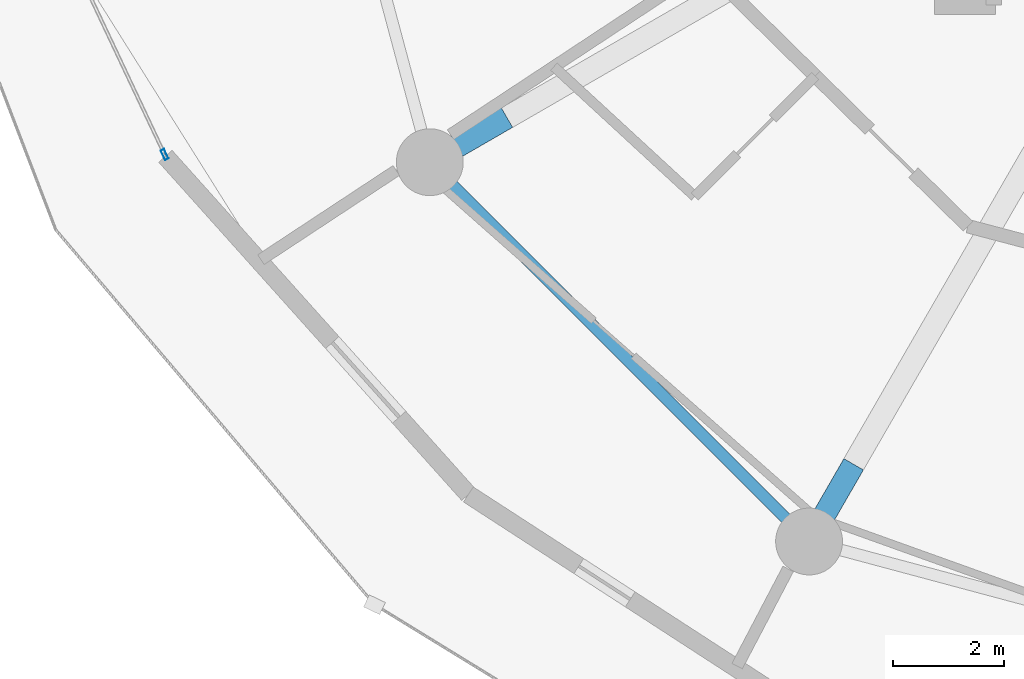
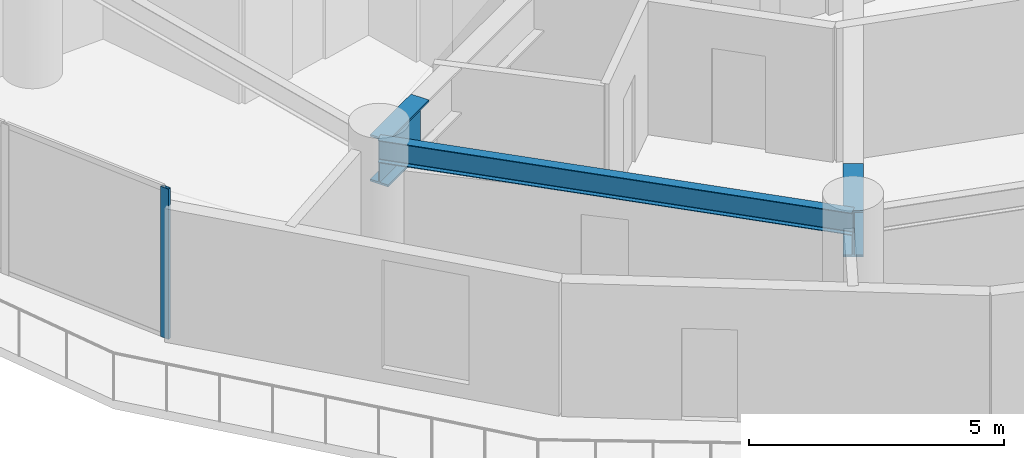
# One storey, part 2 of 24: 3 beams, 1 member, 1 element without a shape of its own.
"""IFC4 building model written with IfcOpenShell, lengths in metres."""

import ifcopenshell
import ifcopenshell.guid

model = None  # the IFC model being written
_history = None  # IfcOwnerHistory: only IFC2X3 demands one
_inside = {}  # id of a spatial element -> (the spatial element, [elements in it])
_under = {}  # id of a project, library or spatial element -> (it, [spatial elements below it])
_declared = {}  # id of a project -> (the project, [libraries it declares])
_typed = {}  # id of a type object -> (the type object, [elements of that type])
_made_of = {}  # id of a material, layer set ... -> (it, [elements and type objects made of it])


def new_model(schema):
    """Start an empty IFC model of exactly this schema.

    Asked for "IFC4X3", IfcOpenShell would pick the latest addendum, in which some entities
    have other attributes; the version numbers below select the first issue.
    IFC2X3 requires an IfcOwnerHistory on every rooted entity: one is made here for all.
    """
    global model, _history
    if schema == "IFC4X3":
        model = ifcopenshell.file(schema_version=(4, 3, 0, 0))
    else:
        model = ifcopenshell.file(schema=schema)
    _inside.clear()
    _under.clear()
    _declared.clear()
    _typed.clear()
    _made_of.clear()
    _history = None
    if model.schema == "IFC2X3":
        org = make("IfcOrganization", Name="unknown")
        user = make(
            "IfcPersonAndOrganization",
            ThePerson=make("IfcPerson", FamilyName="unknown"),
            TheOrganization=org,
        )
        app = make(
            "IfcApplication",
            ApplicationDeveloper=org,
            Version="unknown",
            ApplicationFullName="unknown",
            ApplicationIdentifier="unknown",
        )
        _history = make(
            "IfcOwnerHistory",
            OwningUser=user,
            OwningApplication=app,
            ChangeAction="ADDED",
            CreationDate=0,
        )
    return model


def make(cls, **values):
    """One entity of the class cls with the attributes given. An attribute that is None is left unset."""
    return model.create_entity(
        cls, **{name: value for name, value in values.items() if value is not None}
    )


def rooted(cls, **values):
    """An entity with a GlobalId (a new one), such as an element, a storey or a relation."""
    return make(cls, GlobalId=ifcopenshell.guid.new(), OwnerHistory=_history, **values)


def si_unit(unit_type, name, prefix=None):
    """IfcSIUnit, for example si_unit("LENGTHUNIT", "METRE", prefix="MILLI")."""
    return make("IfcSIUnit", UnitType=unit_type, Prefix=prefix, Name=name)


def assignment(units):
    """IfcUnitAssignment: the units of a project."""
    return None if units is None else make("IfcUnitAssignment", Units=units)


def point(xyz):
    """IfcCartesianPoint."""
    return None if xyz is None else make("IfcCartesianPoint", Coordinates=xyz)


def direction(xyz):
    """IfcDirection."""
    return None if xyz is None else make("IfcDirection", DirectionRatios=xyz)


def frame(location, z_axis=None, x_axis=None):
    """IfcAxis2Placement3D, a coordinate frame: its origin and axes. An axis left out is left unset."""
    return make(
        "IfcAxis2Placement3D",
        Location=point(location),
        Axis=direction(z_axis),
        RefDirection=direction(x_axis),
    )


def frame_2d(location, x_axis=None):
    """IfcAxis2Placement2D, a coordinate frame in the plane: its origin and x axis."""
    return make(
        "IfcAxis2Placement2D", Location=point(location), RefDirection=direction(x_axis)
    )


def origin():
    """The frame at (0, 0, 0) with its axes left unset."""
    return frame((0.0, 0.0, 0.0))


def origin_2d():
    """The frame at (0, 0) in the plane with its x axis left unset."""
    return frame_2d((0.0, 0.0))


def place(relative_to, where):
    """IfcLocalPlacement: puts the frame where relative to a parent placement (None: the world)."""
    return make(
        "IfcLocalPlacement", PlacementRelTo=relative_to, RelativePlacement=where
    )


def context(
    kind, dimensions, precision=None, world=None, true_north=None, identifier=None
):
    """IfcGeometricRepresentationContext, for example the 3D "Model" context."""
    return make(
        "IfcGeometricRepresentationContext",
        ContextIdentifier=identifier,
        ContextType=kind,
        CoordinateSpaceDimension=dimensions,
        Precision=precision,
        WorldCoordinateSystem=world,
        TrueNorth=true_north,
    )


def subcontext(parent, identifier, kind, view, scale=None):
    """IfcGeometricRepresentationSubContext, for example "Body" below "Model"."""
    return make(
        "IfcGeometricRepresentationSubContext",
        ContextIdentifier=identifier,
        ContextType=kind,
        ParentContext=parent,
        TargetScale=scale,
        TargetView=view,
    )


def project(units=None, contexts=None):
    """IfcProject with its units and contexts."""
    return rooted(
        "IfcProject",
        Name="project",
        RepresentationContexts=contexts,
        UnitsInContext=assignment(units),
    )


def spatial(cls, under=None, at=None, **own):
    """A site, building, storey or space (cls), placed at a placement, below another one or the project."""
    s = rooted(cls, ObjectPlacement=at, **own)
    if under is not None:
        _under.setdefault(under.id(), (under, []))[1].append(s)
    return s


def profile(cls, at=None, kind="AREA", **sizes):
    """A parametric profile (cls). Its sizes go by their IFC names, for example OverallWidth=200.0."""
    return make(cls, ProfileType=kind, Position=at, **sizes)


def hollow_rectangle(**sizes):
    """IfcRectangleHollowProfileDef."""
    return profile("IfcRectangleHollowProfileDef", **sizes)


def i_section(**sizes):
    """IfcIShapeProfileDef."""
    return profile("IfcIShapeProfileDef", **sizes)


def extrude(swept, where, along, depth):
    """IfcExtrudedAreaSolid: the profile swept, set in the frame where, extruded along a direction by depth."""
    return make(
        "IfcExtrudedAreaSolid",
        SweptArea=swept,
        Position=where,
        ExtrudedDirection=direction(along),
        Depth=depth,
    )


def shape(context_of_items, identifier, shape_type, items):
    """IfcShapeRepresentation: the items that make up one representation, for example the "Body"."""
    return make(
        "IfcShapeRepresentation",
        ContextOfItems=context_of_items,
        RepresentationIdentifier=identifier,
        RepresentationType=shape_type,
        Items=items,
    )


def source(mapping_origin, context_of_items, identifier, shape_type, items):
    """IfcRepresentationMap: a shape defined once, which mapped items show again and again."""
    return make(
        "IfcRepresentationMap",
        MappingOrigin=mapping_origin,
        MappedRepresentation=shape(context_of_items, identifier, shape_type, items),
    )


def transform(
    local_origin,
    x_axis=None,
    y_axis=None,
    z_axis=None,
    scale=None,
    scale2=None,
    scale3=None,
    uniform=True,
):
    """IfcCartesianTransformationOperator3D, or its non-uniform kind. x_axis, y_axis, z_axis: its Axis1, 2, 3."""
    if uniform:
        return make(
            "IfcCartesianTransformationOperator3D",
            Axis1=direction(x_axis),
            Axis2=direction(y_axis),
            LocalOrigin=point(local_origin),
            Scale=scale,
            Axis3=direction(z_axis),
        )
    return make(
        "IfcCartesianTransformationOperator3DnonUniform",
        Axis1=direction(x_axis),
        Axis2=direction(y_axis),
        LocalOrigin=point(local_origin),
        Scale=scale,
        Axis3=direction(z_axis),
        Scale2=scale2,
        Scale3=scale3,
    )


def mapped(mapping_source, mapping_target):
    """IfcMappedItem: shows the shape of a source again, moved by a transform."""
    return make(
        "IfcMappedItem", MappingSource=mapping_source, MappingTarget=mapping_target
    )


def material(Name=None, Category=None):
    """IfcMaterial."""
    return make("IfcMaterial", Name=Name, Category=Category)


def layer(
    of_material, thickness, ventilated=None, Name=None, Category=None, Priority=None
):
    """IfcMaterialLayer: one layer of a wall or slab, of a material (None: an air gap)."""
    return make(
        "IfcMaterialLayer",
        Material=of_material,
        LayerThickness=thickness,
        IsVentilated=ventilated,
        Name=Name,
        Category=Category,
        Priority=Priority,
    )


def layer_set(layers, Name=None):
    """IfcMaterialLayerSet."""
    return make("IfcMaterialLayerSet", MaterialLayers=layers, LayerSetName=Name)


def material_profile(
    of_material, cross_section, Name=None, Category=None, Priority=None
):
    """IfcMaterialProfile: a cross section and its material."""
    return make(
        "IfcMaterialProfile",
        Name=Name,
        Material=of_material,
        Profile=cross_section,
        Priority=Priority,
        Category=Category,
    )


def profile_set(profiles, Name=None, composite=None):
    """IfcMaterialProfileSet."""
    return make(
        "IfcMaterialProfileSet",
        Name=Name,
        MaterialProfiles=profiles,
        CompositeProfile=composite,
    )


def made_of(thing, what):
    """Note that an element or type object is made of a material, layer set ...; save() writes the relation."""
    if what is not None:
        _made_of.setdefault(what.id(), (what, []))[1].append(thing)
    return thing


def type_object(cls, material=None, **own):
    """A type object (cls), such as IfcWallType, which elements share."""
    return made_of(rooted(cls, **own), material)


def element(
    cls,
    number,
    at=None,
    inside=None,
    cuts=None,
    type_object=None,
    material=None,
    context=None,
    identifier="Body",
    shape_type=None,
    held_by="IfcProductDefinitionShape",
    body=None,
    shapes=None,
    **own,
):
    """One element of the class cls, such as IfcWall. Its Tag is "e" and its number.

    at: its placement. inside: the storey or other place that contains it. cuts: it is an
    opening in that element (IfcRelVoidsElement). A single representation is given by context,
    identifier, shape_type and body (its items); several are given by shapes. held_by: the class
    of the entity that holds the representations. save() writes the other relations.
    """
    e = rooted(cls, Tag="e%d" % number, ObjectPlacement=at, **own)
    if body is not None:
        shapes = [shape(context, identifier, shape_type, body)]
    if shapes is not None:
        e.Representation = make(held_by, Representations=shapes)
    if inside is not None:
        _inside.setdefault(inside.id(), (inside, []))[1].append(e)
    if cuts is not None:
        rooted(
            "IfcRelVoidsElement", RelatingBuildingElement=cuts, RelatedOpeningElement=e
        )
    if type_object is not None:
        _typed.setdefault(type_object.id(), (type_object, []))[1].append(e)
    return made_of(e, material)


def aggregate(whole, parts):
    """IfcRelAggregates: a whole, such as a stair, and the parts it consists of."""
    return rooted("IfcRelAggregates", RelatingObject=whole, RelatedObjects=parts)


def save(model, path):
    """Write the relations noted so far, then the file.

    IfcRelAggregates (storeys below a building ...), IfcRelContainedInSpatialStructure (elements
    in a storey), IfcRelDefinesByType, IfcRelAssociatesMaterial and IfcRelDeclares: one each for
    every whole, place, type object, material and project.
    """
    for whole, parts in _under.values():
        aggregate(whole, parts)
    for where, things in _inside.values():
        rooted(
            "IfcRelContainedInSpatialStructure",
            RelatedElements=things,
            RelatingStructure=where,
        )
    for kind, things in _typed.values():
        rooted("IfcRelDefinesByType", RelatedObjects=things, RelatingType=kind)
    for what, things in _made_of.values():
        rooted("IfcRelAssociatesMaterial", RelatedObjects=things, RelatingMaterial=what)
    for by, libraries in _declared.values():
        rooted("IfcRelDeclares", RelatingContext=by, RelatedDefinitions=libraries)
    model.write(path)


model = new_model("IFC4")

# Units and contexts
model_context = context("Model", 3, precision=1e-05, world=origin(), true_north=direction((0.0, 1.0)))
body_context = subcontext(model_context, "Body", "Model", "MODEL_VIEW")
ifc_project = project(units=[si_unit("LENGTHUNIT", "METRE"), si_unit("AREAUNIT", "SQUARE_METRE"), si_unit("VOLUMEUNIT", "CUBIC_METRE"), si_unit("PLANEANGLEUNIT", "RADIAN"), si_unit("MASSUNIT", "GRAM", prefix="KILO")], contexts=[model_context])

# Site, building, storey
site_placement = place(None, origin())
site = spatial("IfcSite", under=ifc_project, at=site_placement, CompositionType="ELEMENT")
building_placement = place(site_placement, origin())
building = spatial("IfcBuilding", under=site, at=building_placement, Name="Solvirekh Grand Hotel", CompositionType="ELEMENT")
storey_placement = place(building_placement, frame((0.0, 0.0, 89.60009765625)))
storey = spatial("IfcBuildingStorey", under=building, at=storey_placement, Name="L22", CompositionType="ELEMENT", Elevation=89.60009765625)

# Beams
ifc_material_1 = material(Name="Steel S355", Category="steel")
ifc_material_profile_1 = material_profile(ifc_material_1, i_section(OverallWidth=0.208984375, OverallDepth=0.532958984375, WebThickness=0.010009765625, FlangeThickness=0.014892578125, FilletRadius=0.013916015625, at=origin_2d()), Name="W530X92")
ifc_profile_set_1 = profile_set([ifc_material_profile_1], Name="Steel S355")
beam_type_1 = type_object("IfcBeamType", Name="Spandrel_Ring_W530", PredefinedType="SPANDREL", material=ifc_profile_set_1)
beam_placement = place(storey_placement, frame((-16.10791015625, -9.300048828125, 2.933837890625), z_axis=(0.707106781187, -0.707106781187, 0.0), x_axis=(0.707106781187, 0.707106781187, 0.0)))
element("IfcBeam", 1, at=beam_placement, inside=storey, type_object=beam_type_1, Name="L22 perimeter spandrel beam 8", PredefinedType="SPANDREL", context=body_context, shape_type="SweptSolid", body=[
    extrude(i_section(OverallWidth=0.208984375, OverallDepth=0.532958984375, WebThickness=0.010009765625, FlangeThickness=0.014892578125, FilletRadius=0.013916015625, at=origin_2d()), origin(), (0.0, 0.0, 1.0), 9.627685546875),
])
ifc_material_2 = material(Name="Steel S460", Category="steel")
ifc_material_profile_2 = material_profile(ifc_material_2, i_section(OverallWidth=0.405029296875, OverallDepth=1.117919921875, WebThickness=0.02587890625, FlangeThickness=0.048095703125, FilletRadius=0.02392578125, at=origin_2d()), Name="W1100X499")
ifc_profile_set_2 = profile_set([ifc_material_profile_2], Name="Steel S460")
beam_type_2 = type_object("IfcBeamType", Name="TransferGirder_W1100", PredefinedType="USERDEFINED", material=ifc_profile_set_2)
for number, where, z_axis, x_axis, name in (
    (2, (-14.721923828125, -8.5, 2.640869140625), (-0.866066190972, -0.499929347863, 0.0), (0.499929347863, -0.866066190972, 0.0), "L22 outer radial transfer girder 8B"),
    (3, (-8.5, -14.721923828125, 2.640869140625), (-0.499929347863, -0.866066190972, 0.0), (0.866066190972, -0.499929347863, 0.0), "L22 outer radial transfer girder 9B"),
):
    element("IfcBeam", number, at=place(storey_placement, frame(where, z_axis=z_axis, x_axis=x_axis)), inside=storey, type_object=beam_type_2, Name=name, ObjectType="TRANSFER GIRDER", PredefinedType="USERDEFINED", context=body_context, shape_type="SweptSolid", body=[
        extrude(i_section(OverallWidth=0.405029296875, OverallDepth=1.117919921875, WebThickness=0.02587890625, FlangeThickness=0.048095703125, FilletRadius=0.02392578125, at=origin_2d()), origin(), (0.0, 0.0, 1.0), 1.600341796875),
    ])

# Curtain wall, member
ifc_material_3 = material(Name="Anodized Bronze Aluminium 6063-T6", Category="aluminium")
ifc_layer = layer(ifc_material_3, 0.18994140625)
ifc_layer_set = layer_set([ifc_layer], Name="Anodized Bronze Aluminium 6063-T6")
curtain_wall_type = type_object("IfcCurtainWallType", Name="CW_Sys2_LowZoneFlushBronzeCW", PredefinedType="NOTDEFINED", material=ifc_layer_set)
curtain_wall_placement = place(storey_placement, origin())
curtain_wall = element("IfcCurtainWall", 4, at=curtain_wall_placement, inside=storey, type_object=curtain_wall_type, Name="L22 unitised bronze-glass curtain wall CW-L22-C13", PredefinedType="NOTDEFINED")
ifc_material_profile_3 = material_profile(ifc_material_3, hollow_rectangle(XDim=0.070068359375, YDim=0.18994140625, WallThickness=0.0048828125, at=origin_2d()), Name="ALU RHS 190X70X5")
ifc_profile_set_3 = profile_set([ifc_material_profile_3], Name="Anodized Bronze Aluminium 6063-T6")
member_type = type_object("IfcMemberType", Name="CWMullion_Sys2", PredefinedType="MULLION", material=ifc_profile_set_3)
shared_shape = source(origin(), body_context, "Body", "SweptSolid", [
    extrude(hollow_rectangle(XDim=0.070068359375, YDim=0.18994140625, WallThickness=0.0048828125, at=origin_2d()), origin(), (0.0, 0.0, 1.0), 3.599853515625),
])
member_placement = place(storey_placement, frame((-20.867919921875, -9.162353515625, 0.0), z_axis=(0.0, 0.0, 1.0), x_axis=(0.904618589977, 0.426222015702, 0.0)))
member = element("IfcMember", 5, at=member_placement, type_object=member_type, Name="U02 mullion 3", PredefinedType="MULLION", context=body_context, shape_type="MappedRepresentation", body=[
    mapped(shared_shape, transform((0.0, 0.0, 0.0), x_axis=(1.0, 0.0, 0.0), y_axis=(0.0, 1.0, 0.0), z_axis=(0.0, 0.0, 1.0), scale=1.0)),
])
aggregate(curtain_wall, [member])

save(model, "model.ifc")
